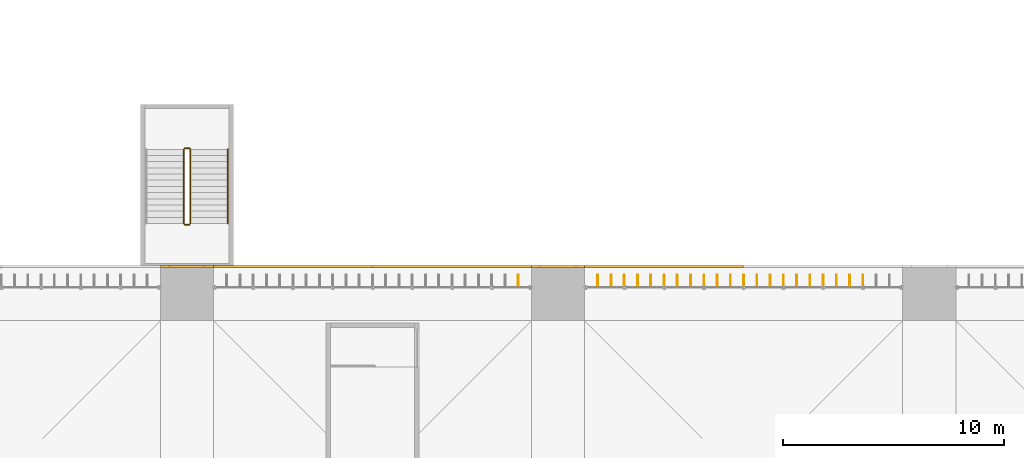
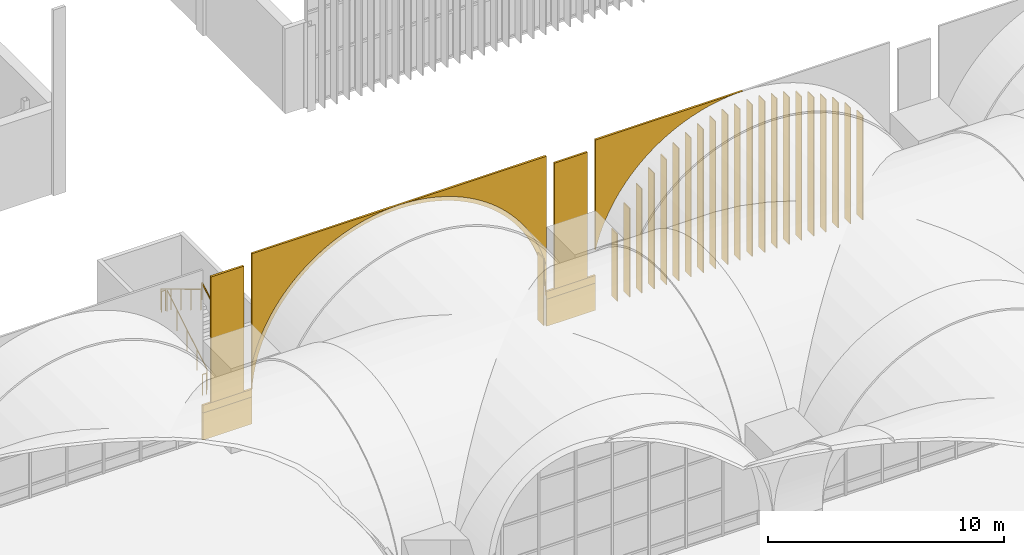
# One storey, part 159 of 169: 22 shading devices, 10 coverings, 5 railings.
"""IFC4 building model written with IfcOpenShell, lengths in metres."""

from ifc_helpers import new_model, si_unit, direction, frame, origin, origin_2d, place, context, subcontext, project, spatial, polyline, rectangle, circle, outline, extrude, material, layer, layer_set, type_object, element, save


model = new_model("IFC4")

# Units and contexts
model_context = context("Model", 3, precision=1e-05, world=origin(), true_north=direction((0.0, 1.0)))
body_context = subcontext(model_context, "Body", "Model", "MODEL_VIEW")
ifc_project = project(units=[si_unit("LENGTHUNIT", "METRE"), si_unit("AREAUNIT", "SQUARE_METRE"), si_unit("VOLUMEUNIT", "CUBIC_METRE"), si_unit("PLANEANGLEUNIT", "RADIAN"), si_unit("MASSUNIT", "GRAM", prefix="KILO")], contexts=[model_context])

# Site, building, storey
site_placement = place(None, origin())
site = spatial("IfcSite", under=ifc_project, at=site_placement, CompositionType="ELEMENT")
building_placement = place(site_placement, origin())
building = spatial("IfcBuilding", under=site, at=building_placement, Name="Verrick Yard Athletic Hall", CompositionType="ELEMENT")
storey_placement = place(building_placement, frame((0.0, 0.0, 4.39990234375)))
storey = spatial("IfcBuildingStorey", under=building, at=storey_placement, Name="L01", CompositionType="ELEMENT", Elevation=4.39990234375)

# Shading devices
ifc_material_1 = material(Name="Anodised aluminium", Category="aluminium")
ifc_layer_1 = layer(ifc_material_1, 0.0400390625)
ifc_layer_set_1 = layer_set([ifc_layer_1], Name="Arcade fin")
shading_device_type = type_object("IfcShadingDeviceType", Name="Arcade fin", PredefinedType="USERDEFINED", material=ifc_layer_set_1)
for number, where, z_axis, x_axis, name in (
    (1, (122.199951171875, 53.17626953125, 0.0), (0.0, 0.0, 1.0), (0.0, 1.0, 0.0), "Fin RN5.23"),
    (2, (125.800048828125, 53.17626953125, 0.0), (0.0, 0.0, 1.0), (0.0, 1.0, 0.0), "Fin RN6.1"),
):
    element("IfcShadingDevice", number, at=place(storey_placement, frame(where, z_axis=z_axis, x_axis=x_axis)), inside=storey, type_object=shading_device_type, Name=name, ObjectType="FIN", PredefinedType="USERDEFINED", context=body_context, shape_type="SweptSolid", body=[
        extrude(outline(polyline([(0.0, 0.0), (0.5, 0.0), (0.5, 3.4775390625), (0.0, 3.4775390625), (0.0, 0.0)])), frame((0.0, 0.02001953125, 0.0), z_axis=(0.0, -1.0, 0.0), x_axis=(1.0, 0.0, 0.0)), (0.0, 0.0, 1.0), 0.0400390625),
    ])
shading_device_1_placement = place(storey_placement, frame((126.39990234375, 53.17626953125, 0.0), z_axis=(0.0, 0.0, 1.0), x_axis=(0.0, 1.0, 0.0)))
element("IfcShadingDevice", 3, at=shading_device_1_placement, inside=storey, type_object=shading_device_type, Name="Fin RN6.2", ObjectType="FIN", PredefinedType="USERDEFINED", context=body_context, shape_type="SweptSolid", body=[
    extrude(outline(polyline([(0.0, 0.0), (0.5, 0.0), (0.5, 4.5966796875), (0.0, 4.5966796875), (0.0, 0.0)])), frame((0.0, 0.02001953125, 0.0), z_axis=(0.0, -1.0, 0.0), x_axis=(1.0, 0.0, 0.0)), (0.0, 0.0, 1.0), 0.0400390625),
])
shading_device_2_placement = place(storey_placement, frame((127.0, 53.17626953125, 0.0), z_axis=(0.0, 0.0, 1.0), x_axis=(0.0, 1.0, 0.0)))
element("IfcShadingDevice", 4, at=shading_device_2_placement, inside=storey, type_object=shading_device_type, Name="Fin RN6.3", ObjectType="FIN", PredefinedType="USERDEFINED", context=body_context, shape_type="SweptSolid", body=[
    extrude(outline(polyline([(0.0, 0.0), (0.5, 0.0), (0.5, 5.38671875), (0.0, 5.38671875), (0.0, 0.0)])), frame((0.0, 0.02001953125, 0.0), z_axis=(0.0, -1.0, 0.0), x_axis=(1.0, 0.0, 0.0)), (0.0, 0.0, 1.0), 0.0400390625),
])
shading_device_3_placement = place(storey_placement, frame((127.60009765625, 53.17626953125, 0.0), z_axis=(0.0, 0.0, 1.0), x_axis=(0.0, 1.0, 0.0)))
element("IfcShadingDevice", 5, at=shading_device_3_placement, inside=storey, type_object=shading_device_type, Name="Fin RN6.4", ObjectType="FIN", PredefinedType="USERDEFINED", context=body_context, shape_type="SweptSolid", body=[
    extrude(outline(polyline([(0.0, 0.0), (0.5, 0.0), (0.5, 5.996826171875), (0.0, 5.996826171875), (0.0, 0.0)])), frame((0.0, 0.02001953125, 0.0), z_axis=(0.0, -1.0, 0.0), x_axis=(1.0, 0.0, 0.0)), (0.0, 0.0, 1.0), 0.0400390625),
])
shading_device_4_placement = place(storey_placement, frame((128.199951171875, 53.17626953125, 0.0), z_axis=(0.0, 0.0, 1.0), x_axis=(0.0, 1.0, 0.0)))
element("IfcShadingDevice", 6, at=shading_device_4_placement, inside=storey, type_object=shading_device_type, Name="Fin RN6.5", ObjectType="FIN", PredefinedType="USERDEFINED", context=body_context, shape_type="SweptSolid", body=[
    extrude(outline(polyline([(0.0, 0.0), (0.5, 0.0), (0.5, 6.481201171875), (0.0, 6.481201171875), (0.0, 0.0)])), frame((0.0, 0.02001953125, 0.0), z_axis=(0.0, -1.0, 0.0), x_axis=(1.0, 0.0, 0.0)), (0.0, 0.0, 1.0), 0.0400390625),
])
shading_device_5_placement = place(storey_placement, frame((128.800048828125, 53.17626953125, 0.0), z_axis=(0.0, 0.0, 1.0), x_axis=(0.0, 1.0, 0.0)))
element("IfcShadingDevice", 7, at=shading_device_5_placement, inside=storey, type_object=shading_device_type, Name="Fin RN6.6", ObjectType="FIN", PredefinedType="USERDEFINED", context=body_context, shape_type="SweptSolid", body=[
    extrude(outline(polyline([(0.0, 0.0), (0.5, 0.0), (0.5, 6.872802734375), (0.0, 6.872802734375), (0.0, 0.0)])), frame((0.0, 0.02001953125, 0.0), z_axis=(0.0, -1.0, 0.0), x_axis=(1.0, 0.0, 0.0)), (0.0, 0.0, 1.0), 0.0400390625),
])
shading_device_6_placement = place(storey_placement, frame((129.39990234375, 53.17626953125, 0.0), z_axis=(0.0, 0.0, 1.0), x_axis=(0.0, 1.0, 0.0)))
element("IfcShadingDevice", 8, at=shading_device_6_placement, inside=storey, type_object=shading_device_type, Name="Fin RN6.7", ObjectType="FIN", PredefinedType="USERDEFINED", context=body_context, shape_type="SweptSolid", body=[
    extrude(outline(polyline([(0.0, 0.0), (0.5, 0.0), (0.5, 7.18505859375), (0.0, 7.18505859375), (0.0, 0.0)])), frame((0.0, 0.02001953125, 0.0), z_axis=(0.0, -1.0, 0.0), x_axis=(1.0, 0.0, 0.0)), (0.0, 0.0, 1.0), 0.0400390625),
])
shading_device_7_placement = place(storey_placement, frame((130.0, 53.17626953125, 0.0), z_axis=(0.0, 0.0, 1.0), x_axis=(0.0, 1.0, 0.0)))
element("IfcShadingDevice", 9, at=shading_device_7_placement, inside=storey, type_object=shading_device_type, Name="Fin RN6.8", ObjectType="FIN", PredefinedType="USERDEFINED", context=body_context, shape_type="SweptSolid", body=[
    extrude(outline(polyline([(0.0, 0.0), (0.5, 0.0), (0.5, 7.4296875), (0.0, 7.4296875), (0.0, 0.0)])), frame((0.0, 0.02001953125, 0.0), z_axis=(0.0, -1.0, 0.0), x_axis=(1.0, 0.0, 0.0)), (0.0, 0.0, 1.0), 0.0400390625),
])
shading_device_8_placement = place(storey_placement, frame((130.60009765625, 53.17626953125, 0.0), z_axis=(0.0, 0.0, 1.0), x_axis=(0.0, 1.0, 0.0)))
element("IfcShadingDevice", 10, at=shading_device_8_placement, inside=storey, type_object=shading_device_type, Name="Fin RN6.9", ObjectType="FIN", PredefinedType="USERDEFINED", context=body_context, shape_type="SweptSolid", body=[
    extrude(outline(polyline([(0.0, 0.0), (0.5, 0.0), (0.5, 7.614990234375), (0.0, 7.614990234375), (0.0, 0.0)])), frame((0.0, 0.02001953125, 0.0), z_axis=(0.0, -1.0, 0.0), x_axis=(1.0, 0.0, 0.0)), (0.0, 0.0, 1.0), 0.0400390625),
])
shading_device_9_placement = place(storey_placement, frame((131.199951171875, 53.17626953125, 0.0), z_axis=(0.0, 0.0, 1.0), x_axis=(0.0, 1.0, 0.0)))
element("IfcShadingDevice", 11, at=shading_device_9_placement, inside=storey, type_object=shading_device_type, Name="Fin RN6.10", ObjectType="FIN", PredefinedType="USERDEFINED", context=body_context, shape_type="SweptSolid", body=[
    extrude(outline(polyline([(0.0, 0.0), (0.5, 0.0), (0.5, 7.744873046875), (0.0, 7.744873046875), (0.0, 0.0)])), frame((0.0, 0.02001953125, 0.0), z_axis=(0.0, -1.0, 0.0), x_axis=(1.0, 0.0, 0.0)), (0.0, 0.0, 1.0), 0.0400390625),
])
shading_device_10_placement = place(storey_placement, frame((131.800048828125, 53.17626953125, 0.0), z_axis=(0.0, 0.0, 1.0), x_axis=(0.0, 1.0, 0.0)))
element("IfcShadingDevice", 12, at=shading_device_10_placement, inside=storey, type_object=shading_device_type, Name="Fin RN6.11", ObjectType="FIN", PredefinedType="USERDEFINED", context=body_context, shape_type="SweptSolid", body=[
    extrude(outline(polyline([(0.0, 0.0), (0.5, 0.0), (0.5, 7.82275390625), (0.0, 7.82275390625), (0.0, 0.0)])), frame((0.0, 0.02001953125, 0.0), z_axis=(0.0, -1.0, 0.0), x_axis=(1.0, 0.0, 0.0)), (0.0, 0.0, 1.0), 0.0400390625),
])
shading_device_11_placement = place(storey_placement, frame((132.39990234375, 53.17626953125, 0.0), z_axis=(0.0, 0.0, 1.0), x_axis=(0.0, 1.0, 0.0)))
element("IfcShadingDevice", 13, at=shading_device_11_placement, inside=storey, type_object=shading_device_type, Name="Fin RN6.12", ObjectType="FIN", PredefinedType="USERDEFINED", context=body_context, shape_type="SweptSolid", body=[
    extrude(outline(polyline([(0.0, 0.0), (0.5, 0.0), (0.5, 7.84912109375), (0.0, 7.84912109375), (0.0, 0.0)])), frame((0.0, 0.02001953125, 0.0), z_axis=(0.0, -1.0, 0.0), x_axis=(1.0, 0.0, 0.0)), (0.0, 0.0, 1.0), 0.0400390625),
])
shading_device_12_placement = place(storey_placement, frame((133.0, 53.17626953125, 0.0), z_axis=(0.0, 0.0, 1.0), x_axis=(0.0, 1.0, 0.0)))
element("IfcShadingDevice", 14, at=shading_device_12_placement, inside=storey, type_object=shading_device_type, Name="Fin RN6.13", ObjectType="FIN", PredefinedType="USERDEFINED", context=body_context, shape_type="SweptSolid", body=[
    extrude(outline(polyline([(0.0, 0.0), (0.5, 0.0), (0.5, 7.82275390625), (0.0, 7.82275390625), (0.0, 0.0)])), frame((0.0, 0.02001953125, 0.0), z_axis=(0.0, -1.0, 0.0), x_axis=(1.0, 0.0, 0.0)), (0.0, 0.0, 1.0), 0.0400390625),
])
shading_device_13_placement = place(storey_placement, frame((133.60009765625, 53.17626953125, 0.0), z_axis=(0.0, 0.0, 1.0), x_axis=(0.0, 1.0, 0.0)))
element("IfcShadingDevice", 15, at=shading_device_13_placement, inside=storey, type_object=shading_device_type, Name="Fin RN6.14", ObjectType="FIN", PredefinedType="USERDEFINED", context=body_context, shape_type="SweptSolid", body=[
    extrude(outline(polyline([(0.0, 0.0), (0.5, 0.0), (0.5, 7.744873046875), (0.0, 7.744873046875), (0.0, 0.0)])), frame((0.0, 0.02001953125, 0.0), z_axis=(0.0, -1.0, 0.0), x_axis=(1.0, 0.0, 0.0)), (0.0, 0.0, 1.0), 0.0400390625),
])
shading_device_14_placement = place(storey_placement, frame((134.199951171875, 53.17626953125, 0.0), z_axis=(0.0, 0.0, 1.0), x_axis=(0.0, 1.0, 0.0)))
element("IfcShadingDevice", 16, at=shading_device_14_placement, inside=storey, type_object=shading_device_type, Name="Fin RN6.15", ObjectType="FIN", PredefinedType="USERDEFINED", context=body_context, shape_type="SweptSolid", body=[
    extrude(outline(polyline([(0.0, 0.0), (0.5, 0.0), (0.5, 7.614990234375), (0.0, 7.614990234375), (0.0, 0.0)])), frame((0.0, 0.02001953125, 0.0), z_axis=(0.0, -1.0, 0.0), x_axis=(1.0, 0.0, 0.0)), (0.0, 0.0, 1.0), 0.0400390625),
])
shading_device_15_placement = place(storey_placement, frame((134.800048828125, 53.17626953125, 0.0), z_axis=(0.0, 0.0, 1.0), x_axis=(0.0, 1.0, 0.0)))
element("IfcShadingDevice", 17, at=shading_device_15_placement, inside=storey, type_object=shading_device_type, Name="Fin RN6.16", ObjectType="FIN", PredefinedType="USERDEFINED", context=body_context, shape_type="SweptSolid", body=[
    extrude(outline(polyline([(0.0, 0.0), (0.5, 0.0), (0.5, 7.4296875), (0.0, 7.4296875), (0.0, 0.0)])), frame((0.0, 0.02001953125, 0.0), z_axis=(0.0, -1.0, 0.0), x_axis=(1.0, 0.0, 0.0)), (0.0, 0.0, 1.0), 0.0400390625),
])
shading_device_16_placement = place(storey_placement, frame((135.39990234375, 53.17626953125, 0.0), z_axis=(0.0, 0.0, 1.0), x_axis=(0.0, 1.0, 0.0)))
element("IfcShadingDevice", 18, at=shading_device_16_placement, inside=storey, type_object=shading_device_type, Name="Fin RN6.17", ObjectType="FIN", PredefinedType="USERDEFINED", context=body_context, shape_type="SweptSolid", body=[
    extrude(outline(polyline([(0.0, 0.0), (0.5, 0.0), (0.5, 7.18505859375), (0.0, 7.18505859375), (0.0, 0.0)])), frame((0.0, 0.02001953125, 0.0), z_axis=(0.0, -1.0, 0.0), x_axis=(1.0, 0.0, 0.0)), (0.0, 0.0, 1.0), 0.0400390625),
])
shading_device_17_placement = place(storey_placement, frame((136.0, 53.17626953125, 0.0), z_axis=(0.0, 0.0, 1.0), x_axis=(0.0, 1.0, 0.0)))
element("IfcShadingDevice", 19, at=shading_device_17_placement, inside=storey, type_object=shading_device_type, Name="Fin RN6.18", ObjectType="FIN", PredefinedType="USERDEFINED", context=body_context, shape_type="SweptSolid", body=[
    extrude(outline(polyline([(0.0, 0.0), (0.5, 0.0), (0.5, 6.872802734375), (0.0, 6.872802734375), (0.0, 0.0)])), frame((0.0, 0.02001953125, 0.0), z_axis=(0.0, -1.0, 0.0), x_axis=(1.0, 0.0, 0.0)), (0.0, 0.0, 1.0), 0.0400390625),
])
shading_device_18_placement = place(storey_placement, frame((136.60009765625, 53.17626953125, 0.0), z_axis=(0.0, 0.0, 1.0), x_axis=(0.0, 1.0, 0.0)))
element("IfcShadingDevice", 20, at=shading_device_18_placement, inside=storey, type_object=shading_device_type, Name="Fin RN6.19", ObjectType="FIN", PredefinedType="USERDEFINED", context=body_context, shape_type="SweptSolid", body=[
    extrude(outline(polyline([(0.0, 0.0), (0.5, 0.0), (0.5, 6.481201171875), (0.0, 6.481201171875), (0.0, 0.0)])), frame((0.0, 0.02001953125, 0.0), z_axis=(0.0, -1.0, 0.0), x_axis=(1.0, 0.0, 0.0)), (0.0, 0.0, 1.0), 0.0400390625),
])
shading_device_19_placement = place(storey_placement, frame((137.199951171875, 53.17626953125, 0.0), z_axis=(0.0, 0.0, 1.0), x_axis=(0.0, 1.0, 0.0)))
element("IfcShadingDevice", 21, at=shading_device_19_placement, inside=storey, type_object=shading_device_type, Name="Fin RN6.20", ObjectType="FIN", PredefinedType="USERDEFINED", context=body_context, shape_type="SweptSolid", body=[
    extrude(outline(polyline([(0.0, 0.0), (0.5, 0.0), (0.5, 5.996826171875), (0.0, 5.996826171875), (0.0, 0.0)])), frame((0.0, 0.02001953125, 0.0), z_axis=(0.0, -1.0, 0.0), x_axis=(1.0, 0.0, 0.0)), (0.0, 0.0, 1.0), 0.0400390625),
])
shading_device_20_placement = place(storey_placement, frame((137.800048828125, 53.17626953125, 0.0), z_axis=(0.0, 0.0, 1.0), x_axis=(0.0, 1.0, 0.0)))
element("IfcShadingDevice", 22, at=shading_device_20_placement, inside=storey, type_object=shading_device_type, Name="Fin RN6.21", ObjectType="FIN", PredefinedType="USERDEFINED", context=body_context, shape_type="SweptSolid", body=[
    extrude(outline(polyline([(0.0, 0.0), (0.5, 0.0), (0.5, 5.38671875), (0.0, 5.38671875), (0.0, 0.0)])), frame((0.0, 0.02001953125, 0.0), z_axis=(0.0, -1.0, 0.0), x_axis=(1.0, 0.0, 0.0)), (0.0, 0.0, 1.0), 0.0400390625),
])

# Coverings
ifc_material_2 = material(Name="Limestone cladding", Category="masonry")
ifc_layer_2 = layer(ifc_material_2, 0.10009765625)
ifc_layer_set_2 = layer_set([ifc_layer_2], Name="Arch ring cladding")
covering_type_1 = type_object("IfcCoveringType", Name="Arch ring cladding", PredefinedType="CLADDING", material=ifc_layer_set_2)
covering_1_placement = place(storey_placement, frame((108.39990234375, 54.050048828125, 0.650146484375), z_axis=(0.0, 0.0, 1.0), x_axis=(1.0, 0.0, 0.0)))
element("IfcCovering", 23, at=covering_1_placement, inside=storey, type_object=covering_type_1, Name="Arch ring RN5", PredefinedType="CLADDING", context=body_context, shape_type="SweptSolid", body=[
    extrude(outline(polyline([(0.0, 1.7021484375), (0.0, 0.0), (0.0068359375, 0.31396484375), (0.02734375, 0.62744140625), (0.0615234375, 0.939697265625), (0.109375, 1.250244140625), (0.170654296875, 1.558349609375), (0.245361328125, 1.863525390625), (0.333251953125, 2.1650390625), (0.43408203125, 2.46240234375), (0.548095703125, 2.75537109375), (0.674560546875, 3.04296875), (0.8134765625, 3.324462890625), (0.964599609375, 3.599853515625), (1.127685546875, 3.86865234375), (1.302001953125, 4.129638671875), (1.48779296875, 4.383056640625), (1.6845703125, 4.6279296875), (1.8916015625, 4.8642578125), (2.10888671875, 5.091064453125), (2.335693359375, 5.308349609375), (2.572021484375, 5.515380859375), (2.81689453125, 5.712158203125), (3.0703125, 5.89794921875), (3.331298828125, 6.072265625), (3.60009765625, 6.2353515625), (3.87548828125, 6.386474609375), (4.156982421875, 6.525390625), (4.444580078125, 6.65185546875), (4.737548828125, 6.765869140625), (5.034912109375, 6.86669921875), (5.33642578125, 6.95458984375), (5.6416015625, 7.029296875), (5.94970703125, 7.090576171875), (6.26025390625, 7.138427734375), (6.572509765625, 7.172607421875), (6.885986328125, 7.193115234375), (7.199951171875, 7.199951171875), (7.51416015625, 7.193115234375), (7.827392578125, 7.172607421875), (8.139892578125, 7.138427734375), (8.4501953125, 7.090576171875), (8.75830078125, 7.029296875), (9.0634765625, 6.95458984375), (9.364990234375, 6.86669921875), (9.66259765625, 6.765869140625), (9.955322265625, 6.65185546875), (10.242919921875, 6.525390625), (10.524658203125, 6.386474609375), (10.800048828125, 6.2353515625), (11.068603515625, 6.072265625), (11.329833984375, 5.89794921875), (11.5830078125, 5.712158203125), (11.828125, 5.515380859375), (12.064208984375, 5.308349609375), (12.291259765625, 5.091064453125), (12.50830078125, 4.8642578125), (12.715576171875, 4.6279296875), (12.912109375, 4.383056640625), (13.097900390625, 4.129638671875), (13.2724609375, 3.86865234375), (13.435302734375, 3.599853515625), (13.58642578125, 3.324462890625), (13.725341796875, 3.04296875), (13.851806640625, 2.75537109375), (13.9658203125, 2.46240234375), (14.06689453125, 2.1650390625), (14.15478515625, 1.863525390625), (14.229248046875, 1.558349609375), (14.29052734375, 1.250244140625), (14.33837890625, 0.939697265625), (14.37255859375, 0.62744140625), (14.39306640625, 0.31396484375), (14.39990234375, 0.0), (14.39990234375, 1.7021484375), (14.347900390625, 1.915283203125), (14.257568359375, 2.22509765625), (14.15380859375, 2.53076171875), (14.03662109375, 2.831787109375), (13.90673828125, 3.12744140625), (13.763916015625, 3.416748046875), (13.608642578125, 3.699951171875), (13.441162109375, 3.975830078125), (13.26171875, 4.244384765625), (13.07080078125, 4.504638671875), (12.86865234375, 4.756591796875), (12.656005859375, 4.999267578125), (12.4326171875, 5.232666015625), (12.199462890625, 5.455810546875), (11.95654296875, 5.668701171875), (11.704833984375, 5.870849609375), (11.444580078125, 6.061767578125), (11.176025390625, 6.240966796875), (10.89990234375, 6.408447265625), (10.616943359375, 6.56396484375), (10.327392578125, 6.70654296875), (10.031982421875, 6.836669921875), (9.73095703125, 6.95361328125), (9.42529296875, 7.057373046875), (9.115234375, 7.14794921875), (8.8017578125, 7.224609375), (8.485107421875, 7.28759765625), (8.166015625, 7.336669921875), (7.844970703125, 7.371826171875), (7.522705078125, 7.39306640625), (7.199951171875, 7.39990234375), (6.877197265625, 7.39306640625), (6.554931640625, 7.371826171875), (6.234130859375, 7.336669921875), (5.9150390625, 7.28759765625), (5.598388671875, 7.224609375), (5.28466796875, 7.14794921875), (4.974853515625, 7.057373046875), (4.669189453125, 6.95361328125), (4.3681640625, 6.836669921875), (4.072509765625, 6.70654296875), (3.783203125, 6.56396484375), (3.5, 6.408447265625), (3.22412109375, 6.240966796875), (2.95556640625, 6.061767578125), (2.6953125, 5.870849609375), (2.443359375, 5.668701171875), (2.20068359375, 5.455810546875), (1.96728515625, 5.232666015625), (1.744140625, 4.999267578125), (1.53125, 4.756591796875), (1.3291015625, 4.504638671875), (1.13818359375, 4.244384765625), (0.958984375, 3.975830078125), (0.79150390625, 3.699951171875), (0.635986328125, 3.416748046875), (0.493408203125, 3.12744140625), (0.36328125, 2.831787109375), (0.246337890625, 2.53076171875), (0.142578125, 2.22509765625), (0.052001953125, 1.915283203125), (0.0, 1.7021484375)])), frame((0.0, 0.050048828125, 0.0), z_axis=(0.0, -1.0, 0.0), x_axis=(1.0, 0.0, 0.0)), (0.0, 0.0, 1.0), 0.10009765625),
])
ifc_layer_3 = layer(ifc_material_2, 0.10009765625)
ifc_layer_set_3 = layer_set([ifc_layer_3], Name="Impost and capital moulding")
covering_type_2 = type_object("IfcCoveringType", Name="Impost and capital moulding", PredefinedType="MOLDING", material=ifc_layer_set_3)
for number, where, z_axis, x_axis, name in (
    (24, (107.199951171875, 54.050048828125, 0.650146484375), (0.0, 0.0, 1.0), (1.0, 0.0, 0.0), "Impost N5"),
    (25, (124.0, 54.050048828125, 0.650146484375), (0.0, 0.0, 1.0), (1.0, 0.0, 0.0), "Impost N6"),
):
    element("IfcCovering", number, at=place(storey_placement, frame(where, z_axis=z_axis, x_axis=x_axis)), inside=storey, type_object=covering_type_2, Name=name, PredefinedType="MOLDING", context=body_context, shape_type="SweptSolid", body=[
        extrude(rectangle(XDim=2.39990234375, YDim=0.10009765625, at=origin_2d()), origin(), (0.0, 0.0, 1.0), 0.39990234375),
    ])
ifc_material_3 = material(Name="Rusticated limestone cladding", Category="masonry")
ifc_layer_4 = layer(ifc_material_3, 0.10009765625)
ifc_layer_set_4 = layer_set([ifc_layer_4], Name="Pier base cladding")
covering_type_3 = type_object("IfcCoveringType", Name="Pier base cladding", PredefinedType="CLADDING", material=ifc_layer_set_4)
for number, where, z_axis, x_axis, name in (
    (26, (107.199951171875, 54.050048828125, -0.749755859375), (0.0, 0.0, 1.0), (1.0, 0.0, 0.0), "Pier string N5"),
    (27, (124.0, 54.050048828125, -0.749755859375), (0.0, 0.0, 1.0), (1.0, 0.0, 0.0), "Pier string N6"),
):
    element("IfcCovering", number, at=place(storey_placement, frame(where, z_axis=z_axis, x_axis=x_axis)), inside=storey, type_object=covering_type_3, Name=name, PredefinedType="CLADDING", context=body_context, shape_type="SweptSolid", body=[
        extrude(rectangle(XDim=2.39990234375, YDim=0.10009765625, at=origin_2d()), origin(), (0.0, 0.0, 1.0), 1.39990234375),
    ])
ifc_layer_5 = layer(ifc_material_2, 0.10009765625)
ifc_layer_set_5 = layer_set([ifc_layer_5], Name="Pilaster cladding")
covering_type_4 = type_object("IfcCoveringType", Name="Pilaster cladding", PredefinedType="CLADDING", material=ifc_layer_set_5)
for number, where, z_axis, x_axis, name in (
    (28, (107.199951171875, 54.050048828125, 1.050048828125), (0.0, 0.0, 1.0), (1.0, 0.0, 0.0), "Pilaster N5"),
    (29, (124.0, 54.050048828125, 1.050048828125), (0.0, 0.0, 1.0), (1.0, 0.0, 0.0), "Pilaster N6"),
):
    element("IfcCovering", number, at=place(storey_placement, frame(where, z_axis=z_axis, x_axis=x_axis)), inside=storey, type_object=covering_type_4, Name=name, PredefinedType="CLADDING", context=body_context, shape_type="SweptSolid", body=[
        extrude(rectangle(XDim=1.60009765625, YDim=0.10009765625, at=origin_2d()), origin(), (0.0, 0.0, 1.0), 6.5),
    ])
ifc_layer_6 = layer(ifc_material_2, 0.10009765625)
ifc_layer_set_6 = layer_set([ifc_layer_6], Name="Spandrel cladding")
covering_type_5 = type_object("IfcCoveringType", Name="Spandrel cladding", PredefinedType="CLADDING", material=ifc_layer_set_6)
covering_2_placement = place(storey_placement, frame((108.39990234375, 54.050048828125, 2.352294921875), z_axis=(0.0, 0.0, 1.0), x_axis=(1.0, 0.0, 0.0)))
element("IfcCovering", 30, at=covering_2_placement, inside=storey, type_object=covering_type_5, Name="Spandrel RN5.1", PredefinedType="CLADDING", context=body_context, shape_type="SweptSolid", body=[
    extrude(outline(polyline([(0.0, 0.0), (0.052001953125, 0.213134765625), (0.142578125, 0.52294921875), (0.246337890625, 0.82861328125), (0.36328125, 1.129638671875), (0.493408203125, 1.42529296875), (0.635986328125, 1.714599609375), (0.79150390625, 1.997802734375), (0.958984375, 2.273681640625), (1.13818359375, 2.542236328125), (1.3291015625, 2.802490234375), (1.53125, 3.054443359375), (1.744140625, 3.297119140625), (1.96728515625, 3.530517578125), (2.20068359375, 3.753662109375), (2.443359375, 3.966552734375), (2.6953125, 4.168701171875), (2.95556640625, 4.359619140625), (3.22412109375, 4.538818359375), (3.5, 4.706298828125), (3.783203125, 4.86181640625), (4.072509765625, 5.00439453125), (4.3681640625, 5.134521484375), (4.669189453125, 5.25146484375), (4.974853515625, 5.355224609375), (5.28466796875, 5.44580078125), (5.598388671875, 5.5224609375), (5.9150390625, 5.58544921875), (6.234130859375, 5.634521484375), (6.554931640625, 5.669677734375), (6.877197265625, 5.69091796875), (7.199951171875, 5.69775390625), (0.0, 5.69775390625), (0.0, 0.0)])), frame((0.0, 0.050048828125, 0.0), z_axis=(0.0, -1.0, 0.0), x_axis=(1.0, 0.0, 0.0)), (0.0, 0.0, 1.0), 0.10009765625),
])
covering_3_placement = place(storey_placement, frame((108.39990234375, 54.050048828125, 2.352294921875), z_axis=(0.0, 0.0, 1.0), x_axis=(1.0, 0.0, 0.0)))
element("IfcCovering", 31, at=covering_3_placement, inside=storey, type_object=covering_type_5, Name="Spandrel RN5.2", PredefinedType="CLADDING", context=body_context, shape_type="SweptSolid", body=[
    extrude(outline(polyline([(7.199951171875, 5.69775390625), (7.522705078125, 5.69091796875), (7.844970703125, 5.669677734375), (8.166015625, 5.634521484375), (8.485107421875, 5.58544921875), (8.8017578125, 5.5224609375), (9.115234375, 5.44580078125), (9.42529296875, 5.355224609375), (9.73095703125, 5.25146484375), (10.031982421875, 5.134521484375), (10.327392578125, 5.00439453125), (10.616943359375, 4.86181640625), (10.89990234375, 4.706298828125), (11.176025390625, 4.538818359375), (11.444580078125, 4.359619140625), (11.704833984375, 4.168701171875), (11.95654296875, 3.966552734375), (12.199462890625, 3.753662109375), (12.4326171875, 3.530517578125), (12.656005859375, 3.297119140625), (12.86865234375, 3.054443359375), (13.07080078125, 2.802490234375), (13.26171875, 2.542236328125), (13.441162109375, 2.273681640625), (13.608642578125, 1.997802734375), (13.763916015625, 1.714599609375), (13.90673828125, 1.42529296875), (14.03662109375, 1.129638671875), (14.15380859375, 0.82861328125), (14.257568359375, 0.52294921875), (14.347900390625, 0.213134765625), (14.39990234375, 0.0), (14.39990234375, 5.69775390625), (7.199951171875, 5.69775390625)])), frame((0.0, 0.050048828125, 0.0), z_axis=(0.0, -1.0, 0.0), x_axis=(1.0, 0.0, 0.0)), (0.0, 0.0, 1.0), 0.10009765625),
])
covering_4_placement = place(storey_placement, frame((125.199951171875, 54.050048828125, 2.352294921875), z_axis=(0.0, 0.0, 1.0), x_axis=(1.0, 0.0, 0.0)))
element("IfcCovering", 32, at=covering_4_placement, inside=storey, type_object=covering_type_5, Name="Spandrel RN6.1", PredefinedType="CLADDING", context=body_context, shape_type="SweptSolid", body=[
    extrude(outline(polyline([(0.0, 0.0), (0.052001953125, 0.213134765625), (0.142578125, 0.52294921875), (0.246337890625, 0.82861328125), (0.36328125, 1.129638671875), (0.493408203125, 1.42529296875), (0.635986328125, 1.714599609375), (0.79150390625, 1.997802734375), (0.958984375, 2.273681640625), (1.13818359375, 2.542236328125), (1.3291015625, 2.802490234375), (1.53125, 3.054443359375), (1.744140625, 3.297119140625), (1.96728515625, 3.530517578125), (2.20068359375, 3.753662109375), (2.443359375, 3.966552734375), (2.6953125, 4.168701171875), (2.95556640625, 4.359619140625), (3.22412109375, 4.538818359375), (3.5, 4.706298828125), (3.783203125, 4.86181640625), (4.072509765625, 5.00439453125), (4.3681640625, 5.134521484375), (4.669189453125, 5.25146484375), (4.974853515625, 5.355224609375), (5.28466796875, 5.44580078125), (5.598388671875, 5.5224609375), (5.9150390625, 5.58544921875), (6.234130859375, 5.634521484375), (6.554931640625, 5.669677734375), (6.877197265625, 5.69091796875), (7.199951171875, 5.69775390625), (0.0, 5.69775390625), (0.0, 0.0)])), frame((0.0, 0.050048828125, 0.0), z_axis=(0.0, -1.0, 0.0), x_axis=(1.0, 0.0, 0.0)), (0.0, 0.0, 1.0), 0.10009765625),
])

# Railings
ifc_material_4 = material(Name="Stainless steel", Category="steel")
railing_type_1 = type_object("IfcRailingType", Name="Stair and core guard 1100", PredefinedType="GUARDRAIL", material=ifc_material_4)
railing_1_placement = place(storey_placement, frame((107.35009765625, 56.0, 0.16943359375)))
element("IfcRailing", 33, at=railing_1_placement, inside=storey, type_object=railing_type_1, Name="L01 North deck escape 2 stair guard 1", PredefinedType="GUARDRAIL", context=body_context, shape_type="SweptSolid", body=[
    extrude(circle(Radius=0.02392578125, at=origin_2d()), frame((0.0, 0.0, 1.076171875), z_axis=(0.0, 0.855836976705, 0.517245656632), x_axis=(-1.0, 0.0, 0.0)), (0.0, 0.0, 1.0), 3.926025390625),
    extrude(circle(Radius=0.02099609375, at=origin_2d()), origin(), (0.0, 0.0, 1.0), 1.052001953125),
    extrude(circle(Radius=0.02099609375, at=origin_2d()), frame((0.0, 0.840087890625, 0.5078125)), (0.0, 0.0, 1.0), 1.052001953125),
    extrude(circle(Radius=0.02099609375, at=origin_2d()), frame((0.0, 1.68017578125, 1.015380859375)), (0.0, 0.0, 1.0), 1.052001953125),
    extrude(circle(Radius=0.02099609375, at=origin_2d()), frame((0.0, 2.52001953125, 1.52294921875)), (0.0, 0.0, 1.0), 1.052001953125),
    extrude(circle(Radius=0.02099609375, at=origin_2d()), frame((0.0, 3.360107421875, 2.03076171875)), (0.0, 0.0, 1.0), 1.052001953125),
])
railing_2_placement = place(storey_placement, frame((107.300048828125, 59.409912109375, 2.2001953125)))
element("IfcRailing", 34, at=railing_2_placement, inside=storey, type_object=railing_type_1, Name="L01 North deck escape 2 stair guard 2", PredefinedType="GUARDRAIL", context=body_context, shape_type="SweptSolid", body=[
    extrude(circle(Radius=0.02392578125, at=origin_2d()), frame((0.0, 0.0, 1.076171875), z_axis=(-1.0, 0.0, 0.0), x_axis=(0.0, -1.0, 0.0)), (0.0, 0.0, 1.0), 0.199951171875),
    extrude(circle(Radius=0.02099609375, at=origin_2d()), origin(), (0.0, 0.0, 1.0), 1.052001953125),
    extrude(circle(Radius=0.02099609375, at=origin_2d()), frame((-0.199951171875, 0.0, 0.0)), (0.0, 0.0, 1.0), 1.052001953125),
])
railing_3_placement = place(storey_placement, frame((107.050048828125, 59.360107421875, 2.369384765625)))
element("IfcRailing", 35, at=railing_3_placement, inside=storey, type_object=railing_type_1, Name="L01 North deck escape 2 stair guard 3", PredefinedType="GUARDRAIL", context=body_context, shape_type="SweptSolid", body=[
    extrude(circle(Radius=0.02392578125, at=origin_2d()), frame((0.0, 0.0, 1.076171875), z_axis=(0.0, -0.855836976705, 0.517245656632), x_axis=(1.0, 0.0, 0.0)), (0.0, 0.0, 1.0), 3.926025390625),
    extrude(circle(Radius=0.02099609375, at=origin_2d()), origin(), (0.0, 0.0, 1.0), 1.052001953125),
    extrude(circle(Radius=0.02099609375, at=origin_2d()), frame((0.0, -0.840087890625, 0.5078125)), (0.0, 0.0, 1.0), 1.052001953125),
    extrude(circle(Radius=0.02099609375, at=origin_2d()), frame((0.0, -1.68017578125, 1.015380859375)), (0.0, 0.0, 1.0), 1.052001953125),
    extrude(circle(Radius=0.02099609375, at=origin_2d()), frame((0.0, -2.52001953125, 1.52294921875)), (0.0, 0.0, 1.0), 1.052001953125),
    extrude(circle(Radius=0.02099609375, at=origin_2d()), frame((0.0, -3.360107421875, 2.03076171875)), (0.0, 0.0, 1.0), 1.052001953125),
])
railing_4_placement = place(storey_placement, frame((107.300048828125, 55.949951171875, 0.0)))
element("IfcRailing", 36, at=railing_4_placement, inside=storey, type_object=railing_type_1, Name="L01 North deck escape 2 stair guard 4", PredefinedType="GUARDRAIL", context=body_context, shape_type="SweptSolid", body=[
    extrude(circle(Radius=0.02392578125, at=origin_2d()), frame((0.0, 0.0, 1.076171875), z_axis=(-1.0, 0.0, 0.0), x_axis=(0.0, -1.0, 0.0)), (0.0, 0.0, 1.0), 0.199951171875),
    extrude(circle(Radius=0.02099609375, at=origin_2d()), origin(), (0.0, 0.0, 1.0), 1.052001953125),
    extrude(circle(Radius=0.02099609375, at=origin_2d()), frame((-0.199951171875, 0.0, 0.0)), (0.0, 0.0, 1.0), 1.052001953125),
])
railing_type_2 = type_object("IfcRailingType", Name="Stair handrail 900", PredefinedType="HANDRAIL", material=ifc_material_4)
railing_5_placement = place(storey_placement, frame((109.050048828125, 56.0, 0.16943359375)))
element("IfcRailing", 37, at=railing_5_placement, inside=storey, type_object=railing_type_2, Name="L01 North deck escape 2 stair handrail 1", PredefinedType="HANDRAIL", context=body_context, shape_type="SweptSolid", body=[
    extrude(circle(Radius=0.02392578125, at=origin_2d()), frame((0.0, 0.0, 0.8759765625), z_axis=(0.0, 0.855836976705, 0.517245656632), x_axis=(-1.0, 0.0, 0.0)), (0.0, 0.0, 1.0), 3.926025390625),
    extrude(circle(Radius=0.02099609375, at=origin_2d()), origin(), (0.0, 0.0, 1.0), 0.851806640625),
    extrude(circle(Radius=0.02099609375, at=origin_2d()), frame((0.0, 0.840087890625, 0.5078125)), (0.0, 0.0, 1.0), 0.851806640625),
    extrude(circle(Radius=0.02099609375, at=origin_2d()), frame((0.0, 1.68017578125, 1.015380859375)), (0.0, 0.0, 1.0), 0.851806640625),
    extrude(circle(Radius=0.02099609375, at=origin_2d()), frame((0.0, 2.52001953125, 1.52294921875)), (0.0, 0.0, 1.0), 0.851806640625),
    extrude(circle(Radius=0.02099609375, at=origin_2d()), frame((0.0, 3.360107421875, 2.03076171875)), (0.0, 0.0, 1.0), 0.851806640625),
])

save(model, "model.ifc")
